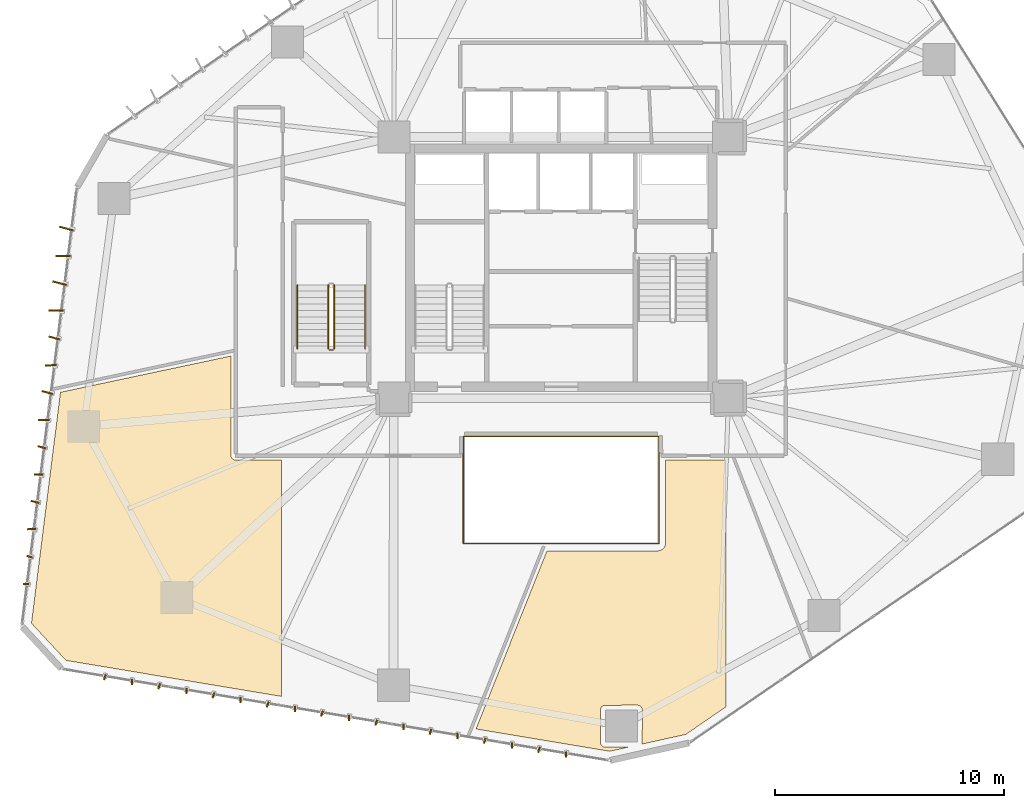
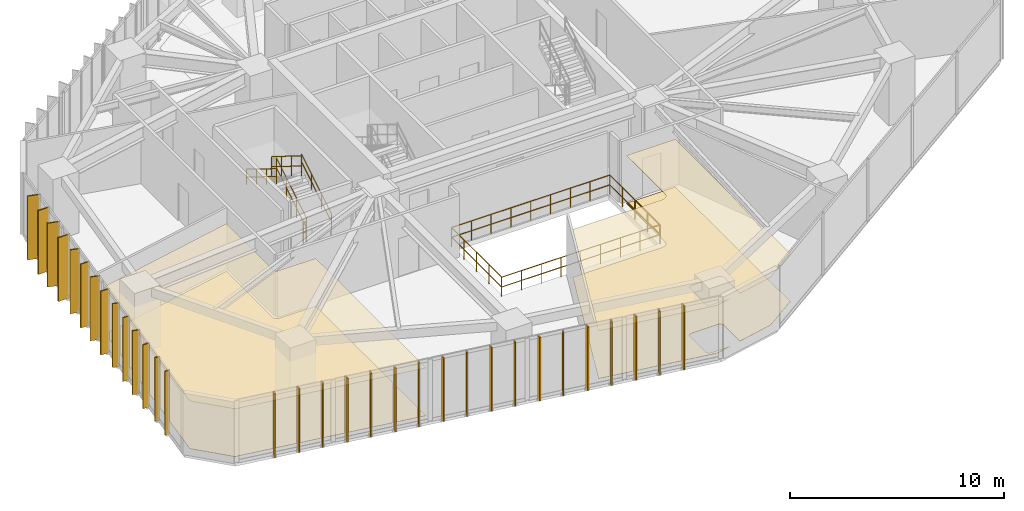
# One storey, part 20 of 21: 32 shading devices, 9 railings, 4 coverings.
"""IFC4 building model written with IfcOpenShell, lengths in metres."""

import ifcopenshell
import ifcopenshell.guid

model = None  # the IFC model being written
_history = None  # IfcOwnerHistory: only IFC2X3 demands one
_inside = {}  # id of a spatial element -> (the spatial element, [elements in it])
_under = {}  # id of a project, library or spatial element -> (it, [spatial elements below it])
_declared = {}  # id of a project -> (the project, [libraries it declares])
_typed = {}  # id of a type object -> (the type object, [elements of that type])
_made_of = {}  # id of a material, layer set ... -> (it, [elements and type objects made of it])


def new_model(schema):
    """Start an empty IFC model of exactly this schema.

    Asked for "IFC4X3", IfcOpenShell would pick the latest addendum, in which some entities
    have other attributes; the version numbers below select the first issue.
    IFC2X3 requires an IfcOwnerHistory on every rooted entity: one is made here for all.
    """
    global model, _history
    if schema == "IFC4X3":
        model = ifcopenshell.file(schema_version=(4, 3, 0, 0))
    else:
        model = ifcopenshell.file(schema=schema)
    _inside.clear()
    _under.clear()
    _declared.clear()
    _typed.clear()
    _made_of.clear()
    _history = None
    if model.schema == "IFC2X3":
        org = make("IfcOrganization", Name="unknown")
        user = make(
            "IfcPersonAndOrganization",
            ThePerson=make("IfcPerson", FamilyName="unknown"),
            TheOrganization=org,
        )
        app = make(
            "IfcApplication",
            ApplicationDeveloper=org,
            Version="unknown",
            ApplicationFullName="unknown",
            ApplicationIdentifier="unknown",
        )
        _history = make(
            "IfcOwnerHistory",
            OwningUser=user,
            OwningApplication=app,
            ChangeAction="ADDED",
            CreationDate=0,
        )
    return model


def make(cls, **values):
    """One entity of the class cls with the attributes given. An attribute that is None is left unset."""
    return model.create_entity(
        cls, **{name: value for name, value in values.items() if value is not None}
    )


def rooted(cls, **values):
    """An entity with a GlobalId (a new one), such as an element, a storey or a relation."""
    return make(cls, GlobalId=ifcopenshell.guid.new(), OwnerHistory=_history, **values)


def si_unit(unit_type, name, prefix=None):
    """IfcSIUnit, for example si_unit("LENGTHUNIT", "METRE", prefix="MILLI")."""
    return make("IfcSIUnit", UnitType=unit_type, Prefix=prefix, Name=name)


def assignment(units):
    """IfcUnitAssignment: the units of a project."""
    return None if units is None else make("IfcUnitAssignment", Units=units)


def point(xyz):
    """IfcCartesianPoint."""
    return None if xyz is None else make("IfcCartesianPoint", Coordinates=xyz)


def direction(xyz):
    """IfcDirection."""
    return None if xyz is None else make("IfcDirection", DirectionRatios=xyz)


def frame(location, z_axis=None, x_axis=None):
    """IfcAxis2Placement3D, a coordinate frame: its origin and axes. An axis left out is left unset."""
    return make(
        "IfcAxis2Placement3D",
        Location=point(location),
        Axis=direction(z_axis),
        RefDirection=direction(x_axis),
    )


def frame_2d(location, x_axis=None):
    """IfcAxis2Placement2D, a coordinate frame in the plane: its origin and x axis."""
    return make(
        "IfcAxis2Placement2D", Location=point(location), RefDirection=direction(x_axis)
    )


def origin():
    """The frame at (0, 0, 0) with its axes left unset."""
    return frame((0.0, 0.0, 0.0))


def origin_2d():
    """The frame at (0, 0) in the plane with its x axis left unset."""
    return frame_2d((0.0, 0.0))


def place(relative_to, where):
    """IfcLocalPlacement: puts the frame where relative to a parent placement (None: the world)."""
    return make(
        "IfcLocalPlacement", PlacementRelTo=relative_to, RelativePlacement=where
    )


def context(
    kind, dimensions, precision=None, world=None, true_north=None, identifier=None
):
    """IfcGeometricRepresentationContext, for example the 3D "Model" context."""
    return make(
        "IfcGeometricRepresentationContext",
        ContextIdentifier=identifier,
        ContextType=kind,
        CoordinateSpaceDimension=dimensions,
        Precision=precision,
        WorldCoordinateSystem=world,
        TrueNorth=true_north,
    )


def subcontext(parent, identifier, kind, view, scale=None):
    """IfcGeometricRepresentationSubContext, for example "Body" below "Model"."""
    return make(
        "IfcGeometricRepresentationSubContext",
        ContextIdentifier=identifier,
        ContextType=kind,
        ParentContext=parent,
        TargetScale=scale,
        TargetView=view,
    )


def project(units=None, contexts=None):
    """IfcProject with its units and contexts."""
    return rooted(
        "IfcProject",
        Name="project",
        RepresentationContexts=contexts,
        UnitsInContext=assignment(units),
    )


def spatial(cls, under=None, at=None, **own):
    """A site, building, storey or space (cls), placed at a placement, below another one or the project."""
    s = rooted(cls, ObjectPlacement=at, **own)
    if under is not None:
        _under.setdefault(under.id(), (under, []))[1].append(s)
    return s


def polyline(points):
    """IfcPolyline through the points."""
    return make("IfcPolyline", Points=[point(p) for p in points])


def profile(cls, at=None, kind="AREA", **sizes):
    """A parametric profile (cls). Its sizes go by their IFC names, for example OverallWidth=200.0."""
    return make(cls, ProfileType=kind, Position=at, **sizes)


def rectangle(**sizes):
    """IfcRectangleProfileDef."""
    return profile("IfcRectangleProfileDef", **sizes)


def circle(**sizes):
    """IfcCircleProfileDef."""
    return profile("IfcCircleProfileDef", **sizes)


def outline(outer, holes=None, kind="AREA"):
    """IfcArbitraryClosedProfileDef: a profile drawn as a closed curve; with holes, ...WithVoids."""
    if holes is None:
        return make("IfcArbitraryClosedProfileDef", ProfileType=kind, OuterCurve=outer)
    return make(
        "IfcArbitraryProfileDefWithVoids",
        ProfileType=kind,
        OuterCurve=outer,
        InnerCurves=holes,
    )


def extrude(swept, where, along, depth):
    """IfcExtrudedAreaSolid: the profile swept, set in the frame where, extruded along a direction by depth."""
    return make(
        "IfcExtrudedAreaSolid",
        SweptArea=swept,
        Position=where,
        ExtrudedDirection=direction(along),
        Depth=depth,
    )


def shape(context_of_items, identifier, shape_type, items):
    """IfcShapeRepresentation: the items that make up one representation, for example the "Body"."""
    return make(
        "IfcShapeRepresentation",
        ContextOfItems=context_of_items,
        RepresentationIdentifier=identifier,
        RepresentationType=shape_type,
        Items=items,
    )


def source(mapping_origin, context_of_items, identifier, shape_type, items):
    """IfcRepresentationMap: a shape defined once, which mapped items show again and again."""
    return make(
        "IfcRepresentationMap",
        MappingOrigin=mapping_origin,
        MappedRepresentation=shape(context_of_items, identifier, shape_type, items),
    )


def transform(
    local_origin,
    x_axis=None,
    y_axis=None,
    z_axis=None,
    scale=None,
    scale2=None,
    scale3=None,
    uniform=True,
):
    """IfcCartesianTransformationOperator3D, or its non-uniform kind. x_axis, y_axis, z_axis: its Axis1, 2, 3."""
    if uniform:
        return make(
            "IfcCartesianTransformationOperator3D",
            Axis1=direction(x_axis),
            Axis2=direction(y_axis),
            LocalOrigin=point(local_origin),
            Scale=scale,
            Axis3=direction(z_axis),
        )
    return make(
        "IfcCartesianTransformationOperator3DnonUniform",
        Axis1=direction(x_axis),
        Axis2=direction(y_axis),
        LocalOrigin=point(local_origin),
        Scale=scale,
        Axis3=direction(z_axis),
        Scale2=scale2,
        Scale3=scale3,
    )


def mapped(mapping_source, mapping_target):
    """IfcMappedItem: shows the shape of a source again, moved by a transform."""
    return make(
        "IfcMappedItem", MappingSource=mapping_source, MappingTarget=mapping_target
    )


def material(Name=None, Category=None):
    """IfcMaterial."""
    return make("IfcMaterial", Name=Name, Category=Category)


def layer(
    of_material, thickness, ventilated=None, Name=None, Category=None, Priority=None
):
    """IfcMaterialLayer: one layer of a wall or slab, of a material (None: an air gap)."""
    return make(
        "IfcMaterialLayer",
        Material=of_material,
        LayerThickness=thickness,
        IsVentilated=ventilated,
        Name=Name,
        Category=Category,
        Priority=Priority,
    )


def layer_set(layers, Name=None):
    """IfcMaterialLayerSet."""
    return make("IfcMaterialLayerSet", MaterialLayers=layers, LayerSetName=Name)


def made_of(thing, what):
    """Note that an element or type object is made of a material, layer set ...; save() writes the relation."""
    if what is not None:
        _made_of.setdefault(what.id(), (what, []))[1].append(thing)
    return thing


def type_object(cls, material=None, **own):
    """A type object (cls), such as IfcWallType, which elements share."""
    return made_of(rooted(cls, **own), material)


def type_shapes(of_type, sources):
    """Give a type object the sources (RepresentationMaps) that its elements show as mapped items."""
    of_type.RepresentationMaps = sources


def element(
    cls,
    number,
    at=None,
    inside=None,
    cuts=None,
    type_object=None,
    material=None,
    context=None,
    identifier="Body",
    shape_type=None,
    held_by="IfcProductDefinitionShape",
    body=None,
    shapes=None,
    **own,
):
    """One element of the class cls, such as IfcWall. Its Tag is "e" and its number.

    at: its placement. inside: the storey or other place that contains it. cuts: it is an
    opening in that element (IfcRelVoidsElement). A single representation is given by context,
    identifier, shape_type and body (its items); several are given by shapes. held_by: the class
    of the entity that holds the representations. save() writes the other relations.
    """
    e = rooted(cls, Tag="e%d" % number, ObjectPlacement=at, **own)
    if body is not None:
        shapes = [shape(context, identifier, shape_type, body)]
    if shapes is not None:
        e.Representation = make(held_by, Representations=shapes)
    if inside is not None:
        _inside.setdefault(inside.id(), (inside, []))[1].append(e)
    if cuts is not None:
        rooted(
            "IfcRelVoidsElement", RelatingBuildingElement=cuts, RelatedOpeningElement=e
        )
    if type_object is not None:
        _typed.setdefault(type_object.id(), (type_object, []))[1].append(e)
    return made_of(e, material)


def aggregate(whole, parts):
    """IfcRelAggregates: a whole, such as a stair, and the parts it consists of."""
    return rooted("IfcRelAggregates", RelatingObject=whole, RelatedObjects=parts)


def save(model, path):
    """Write the relations noted so far, then the file.

    IfcRelAggregates (storeys below a building ...), IfcRelContainedInSpatialStructure (elements
    in a storey), IfcRelDefinesByType, IfcRelAssociatesMaterial and IfcRelDeclares: one each for
    every whole, place, type object, material and project.
    """
    for whole, parts in _under.values():
        aggregate(whole, parts)
    for where, things in _inside.values():
        rooted(
            "IfcRelContainedInSpatialStructure",
            RelatedElements=things,
            RelatingStructure=where,
        )
    for kind, things in _typed.values():
        rooted("IfcRelDefinesByType", RelatedObjects=things, RelatingType=kind)
    for what, things in _made_of.values():
        rooted("IfcRelAssociatesMaterial", RelatedObjects=things, RelatingMaterial=what)
    for by, libraries in _declared.values():
        rooted("IfcRelDeclares", RelatingContext=by, RelatedDefinitions=libraries)
    model.write(path)


model = new_model("IFC4")

# Units and contexts
model_context = context("Model", 3, precision=1e-05, world=origin(), true_north=direction((0.0, 1.0)))
body_context = subcontext(model_context, "Body", "Model", "MODEL_VIEW")
ifc_project = project(units=[si_unit("LENGTHUNIT", "METRE"), si_unit("AREAUNIT", "SQUARE_METRE"), si_unit("VOLUMEUNIT", "CUBIC_METRE"), si_unit("PLANEANGLEUNIT", "RADIAN"), si_unit("MASSUNIT", "GRAM", prefix="KILO")], contexts=[model_context])

# Site, building, storey
site_placement = place(None, origin())
site = spatial("IfcSite", under=ifc_project, at=site_placement, CompositionType="ELEMENT")
building_placement = place(site_placement, origin())
building = spatial("IfcBuilding", under=site, at=building_placement, Name="Talar Marvaseh", CompositionType="ELEMENT")
storey_placement = place(building_placement, frame((0.0, 0.0, 62.0)))
storey = spatial("IfcBuildingStorey", under=building, at=storey_placement, Name="L15", CompositionType="ELEMENT", Elevation=62.0)

# Railings
ifc_material_1 = material(Name="Stainless Steel Grade 316", Category="steel")
railing_type_1 = type_object("IfcRailingType", Name="Brushed Stainless Wall Pitch Handrail 900", PredefinedType="HANDRAIL", material=ifc_material_1)
railing_1_placement = place(storey_placement, frame((17.449951171875, 27.64990234375, 0.172607421875)))
element("IfcRailing", 1, at=railing_1_placement, inside=storey, type_object=railing_type_1, Name="L15 ST-3 stair handrail 1", PredefinedType="HANDRAIL", context=body_context, shape_type="SweptSolid", body=[
    extrude(circle(Radius=0.02392578125, at=origin_2d()), frame((0.0, 0.0, 0.8759765625), z_axis=(0.0, 0.851089632645, 0.525020415988), x_axis=(-1.0, 0.0, 0.0)), (0.0, 0.0, 1.0), 3.2900390625),
    extrude(circle(Radius=0.02392578125, at=origin_2d()), frame((0.0, 0.0, 0.42578125), z_axis=(0.0, 0.851089632645, 0.525020415988), x_axis=(-1.0, 0.0, 0.0)), (0.0, 0.0, 1.0), 3.2900390625),
    extrude(circle(Radius=0.02099609375, at=origin_2d()), origin(), (0.0, 0.0, 1.0), 0.851806640625),
    extrude(circle(Radius=0.02099609375, at=origin_2d()), frame((0.0, 0.933349609375, 0.57568359375)), (0.0, 0.0, 1.0), 0.851806640625),
    extrude(circle(Radius=0.02099609375, at=origin_2d()), frame((0.0, 1.86669921875, 1.151611328125)), (0.0, 0.0, 1.0), 0.851806640625),
    extrude(circle(Radius=0.02099609375, at=origin_2d()), frame((0.0, 2.800048828125, 1.727294921875)), (0.0, 0.0, 1.0), 0.851806640625),
])
railing_2_placement = place(storey_placement, frame((14.489990234375, 30.449951171875, 2.07275390625)))
element("IfcRailing", 2, at=railing_2_placement, inside=storey, type_object=railing_type_1, Name="L15 ST-3 stair handrail 2", PredefinedType="HANDRAIL", context=body_context, shape_type="SweptSolid", body=[
    extrude(circle(Radius=0.02392578125, at=origin_2d()), frame((0.0, 0.0, 0.8759765625), z_axis=(0.0, -0.851089632645, 0.525020415988), x_axis=(1.0, 0.0, 0.0)), (0.0, 0.0, 1.0), 3.2900390625),
    extrude(circle(Radius=0.02392578125, at=origin_2d()), frame((0.0, 0.0, 0.42578125), z_axis=(0.0, -0.851089632645, 0.525020415988), x_axis=(1.0, 0.0, 0.0)), (0.0, 0.0, 1.0), 3.2900390625),
    extrude(circle(Radius=0.02099609375, at=origin_2d()), origin(), (0.0, 0.0, 1.0), 0.851806640625),
    extrude(circle(Radius=0.02099609375, at=origin_2d()), frame((0.0, -0.933349609375, 0.57568359375)), (0.0, 0.0, 1.0), 0.851806640625),
    extrude(circle(Radius=0.02099609375, at=origin_2d()), frame((0.0, -1.86669921875, 1.151611328125)), (0.0, 0.0, 1.0), 0.851806640625),
    extrude(circle(Radius=0.02099609375, at=origin_2d()), frame((0.0, -2.800048828125, 1.727294921875)), (0.0, 0.0, 1.0), 0.851806640625),
])
ifc_material_2 = material(Name="Tempered Clear Glass", Category="glass")
railing_type_2 = type_object("IfcRailingType", Name="Interior Atrium Edge Balustrade 1120", PredefinedType="BALUSTRADE", material=ifc_material_2)
railing_3_placement = place(storey_placement, frame((21.729736328125, 19.16162109375, 0.0)))
element("IfcRailing", 3, at=railing_3_placement, inside=storey, type_object=railing_type_2, Name="L15 Internal Daylight Atrium Balustrade 1", PredefinedType="BALUSTRADE", context=body_context, shape_type="SweptSolid", body=[
    extrude(circle(Radius=0.02392578125, at=origin_2d()), frame((0.0, 0.0, 1.09619140625), z_axis=(1.0, 0.0, 0.0), x_axis=(0.0, 1.0, 0.0)), (0.0, 0.0, 1.0), 8.54052734375),
    extrude(circle(Radius=0.02392578125, at=origin_2d()), frame((0.0, 0.0, 0.5361328125), z_axis=(1.0, 0.0, 0.0), x_axis=(0.0, 1.0, 0.0)), (0.0, 0.0, 1.0), 8.54052734375),
    extrude(circle(Radius=0.02099609375, at=origin_2d()), origin(), (0.0, 0.0, 1.0), 1.072021484375),
    extrude(circle(Radius=0.02099609375, at=origin_2d()), frame((1.067626953125, 0.0, 0.0)), (0.0, 0.0, 1.0), 1.072021484375),
    extrude(circle(Radius=0.02099609375, at=origin_2d()), frame((2.13525390625, 0.0, 0.0)), (0.0, 0.0, 1.0), 1.072021484375),
    extrude(circle(Radius=0.02099609375, at=origin_2d()), frame((3.20263671875, 0.0, 0.0)), (0.0, 0.0, 1.0), 1.072021484375),
    extrude(circle(Radius=0.02099609375, at=origin_2d()), frame((4.270263671875, 0.0, 0.0)), (0.0, 0.0, 1.0), 1.072021484375),
    extrude(circle(Radius=0.02099609375, at=origin_2d()), frame((5.337890625, 0.0, 0.0)), (0.0, 0.0, 1.0), 1.072021484375),
    extrude(circle(Radius=0.02099609375, at=origin_2d()), frame((6.4052734375, 0.0, 0.0)), (0.0, 0.0, 1.0), 1.072021484375),
    extrude(circle(Radius=0.02099609375, at=origin_2d()), frame((7.472900390625, 0.0, 0.0)), (0.0, 0.0, 1.0), 1.072021484375),
    extrude(circle(Radius=0.02099609375, at=origin_2d()), frame((8.54052734375, 0.0, 0.0)), (0.0, 0.0, 1.0), 1.072021484375),
])
railing_4_placement = place(storey_placement, frame((30.270263671875, 19.16162109375, 0.0)))
element("IfcRailing", 4, at=railing_4_placement, inside=storey, type_object=railing_type_2, Name="L15 Internal Daylight Atrium Balustrade 2", PredefinedType="BALUSTRADE", context=body_context, shape_type="SweptSolid", body=[
    extrude(circle(Radius=0.02392578125, at=origin_2d()), frame((0.0, 0.0, 1.09619140625), z_axis=(0.0, 1.0, 0.0), x_axis=(-1.0, 0.0, 0.0)), (0.0, 0.0, 1.0), 4.6767578125),
    extrude(circle(Radius=0.02392578125, at=origin_2d()), frame((0.0, 0.0, 0.5361328125), z_axis=(0.0, 1.0, 0.0), x_axis=(-1.0, 0.0, 0.0)), (0.0, 0.0, 1.0), 4.6767578125),
    extrude(circle(Radius=0.02099609375, at=origin_2d()), origin(), (0.0, 0.0, 1.0), 1.072021484375),
    extrude(circle(Radius=0.02099609375, at=origin_2d()), frame((0.0, 1.169189453125, 0.0)), (0.0, 0.0, 1.0), 1.072021484375),
    extrude(circle(Radius=0.02099609375, at=origin_2d()), frame((0.0, 2.33837890625, 0.0)), (0.0, 0.0, 1.0), 1.072021484375),
    extrude(circle(Radius=0.02099609375, at=origin_2d()), frame((0.0, 3.507568359375, 0.0)), (0.0, 0.0, 1.0), 1.072021484375),
    extrude(circle(Radius=0.02099609375, at=origin_2d()), frame((0.0, 4.6767578125, 0.0)), (0.0, 0.0, 1.0), 1.072021484375),
])
railing_5_placement = place(storey_placement, frame((30.270263671875, 23.83837890625, 0.0)))
element("IfcRailing", 5, at=railing_5_placement, inside=storey, type_object=railing_type_2, Name="L15 Internal Daylight Atrium Balustrade 3", PredefinedType="BALUSTRADE", context=body_context, shape_type="SweptSolid", body=[
    extrude(circle(Radius=0.02392578125, at=origin_2d()), frame((0.0, 0.0, 1.09619140625), z_axis=(-1.0, 0.0, 0.0), x_axis=(0.0, -1.0, 0.0)), (0.0, 0.0, 1.0), 8.54052734375),
    extrude(circle(Radius=0.02392578125, at=origin_2d()), frame((0.0, 0.0, 0.5361328125), z_axis=(-1.0, 0.0, 0.0), x_axis=(0.0, -1.0, 0.0)), (0.0, 0.0, 1.0), 8.54052734375),
    extrude(circle(Radius=0.02099609375, at=origin_2d()), origin(), (0.0, 0.0, 1.0), 1.072021484375),
    extrude(circle(Radius=0.02099609375, at=origin_2d()), frame((-1.067626953125, 0.0, 0.0)), (0.0, 0.0, 1.0), 1.072021484375),
    extrude(circle(Radius=0.02099609375, at=origin_2d()), frame((-2.13525390625, 0.0, 0.0)), (0.0, 0.0, 1.0), 1.072021484375),
    extrude(circle(Radius=0.02099609375, at=origin_2d()), frame((-3.20263671875, 0.0, 0.0)), (0.0, 0.0, 1.0), 1.072021484375),
    extrude(circle(Radius=0.02099609375, at=origin_2d()), frame((-4.270263671875, 0.0, 0.0)), (0.0, 0.0, 1.0), 1.072021484375),
    extrude(circle(Radius=0.02099609375, at=origin_2d()), frame((-5.337890625, 0.0, 0.0)), (0.0, 0.0, 1.0), 1.072021484375),
    extrude(circle(Radius=0.02099609375, at=origin_2d()), frame((-6.4052734375, 0.0, 0.0)), (0.0, 0.0, 1.0), 1.072021484375),
    extrude(circle(Radius=0.02099609375, at=origin_2d()), frame((-7.472900390625, 0.0, 0.0)), (0.0, 0.0, 1.0), 1.072021484375),
    extrude(circle(Radius=0.02099609375, at=origin_2d()), frame((-8.54052734375, 0.0, 0.0)), (0.0, 0.0, 1.0), 1.072021484375),
])
railing_6_placement = place(storey_placement, frame((21.729736328125, 23.83837890625, 0.0)))
element("IfcRailing", 6, at=railing_6_placement, inside=storey, type_object=railing_type_2, Name="L15 Internal Daylight Atrium Balustrade 4", PredefinedType="BALUSTRADE", context=body_context, shape_type="SweptSolid", body=[
    extrude(circle(Radius=0.02392578125, at=origin_2d()), frame((0.0, 0.0, 1.09619140625), z_axis=(0.0, -1.0, 0.0), x_axis=(1.0, 0.0, 0.0)), (0.0, 0.0, 1.0), 4.6767578125),
    extrude(circle(Radius=0.02392578125, at=origin_2d()), frame((0.0, 0.0, 0.5361328125), z_axis=(0.0, -1.0, 0.0), x_axis=(1.0, 0.0, 0.0)), (0.0, 0.0, 1.0), 4.6767578125),
    extrude(circle(Radius=0.02099609375, at=origin_2d()), origin(), (0.0, 0.0, 1.0), 1.072021484375),
    extrude(circle(Radius=0.02099609375, at=origin_2d()), frame((0.0, -1.169189453125, 0.0)), (0.0, 0.0, 1.0), 1.072021484375),
    extrude(circle(Radius=0.02099609375, at=origin_2d()), frame((0.0, -2.33837890625, 0.0)), (0.0, 0.0, 1.0), 1.072021484375),
    extrude(circle(Radius=0.02099609375, at=origin_2d()), frame((0.0, -3.507568359375, 0.0)), (0.0, 0.0, 1.0), 1.072021484375),
    extrude(circle(Radius=0.02099609375, at=origin_2d()), frame((0.0, -4.6767578125, 0.0)), (0.0, 0.0, 1.0), 1.072021484375),
])
railing_type_3 = type_object("IfcRailingType", Name="Painted Steel Core Stair Well Guardrail 1150", PredefinedType="GUARDRAIL", material=ifc_material_1)
railing_7_placement = place(storey_placement, frame((16.10009765625, 27.64990234375, 0.172607421875)))
element("IfcRailing", 7, at=railing_7_placement, inside=storey, type_object=railing_type_3, Name="L15 ST-3 stair guard 1", PredefinedType="GUARDRAIL", context=body_context, shape_type="SweptSolid", body=[
    extrude(circle(Radius=0.02392578125, at=origin_2d()), frame((0.0, 0.0, 1.1259765625), z_axis=(0.0, 0.851089632645, 0.525020415988), x_axis=(-1.0, 0.0, 0.0)), (0.0, 0.0, 1.0), 3.2900390625),
    extrude(circle(Radius=0.02392578125, at=origin_2d()), frame((0.0, 0.0, 0.55078125), z_axis=(0.0, 0.851089632645, 0.525020415988), x_axis=(-1.0, 0.0, 0.0)), (0.0, 0.0, 1.0), 3.2900390625),
    extrude(circle(Radius=0.02099609375, at=origin_2d()), origin(), (0.0, 0.0, 1.0), 1.101806640625),
    extrude(circle(Radius=0.02099609375, at=origin_2d()), frame((0.0, 0.933349609375, 0.57568359375)), (0.0, 0.0, 1.0), 1.101806640625),
    extrude(circle(Radius=0.02099609375, at=origin_2d()), frame((0.0, 1.86669921875, 1.151611328125)), (0.0, 0.0, 1.0), 1.101806640625),
    extrude(circle(Radius=0.02099609375, at=origin_2d()), frame((0.0, 2.800048828125, 1.727294921875)), (0.0, 0.0, 1.0), 1.101806640625),
])
railing_8_placement = place(storey_placement, frame((15.840087890625, 30.449951171875, 2.07275390625)))
element("IfcRailing", 8, at=railing_8_placement, inside=storey, type_object=railing_type_3, Name="L15 ST-3 stair guard 3", PredefinedType="GUARDRAIL", context=body_context, shape_type="SweptSolid", body=[
    extrude(circle(Radius=0.02392578125, at=origin_2d()), frame((0.0, 0.0, 1.1259765625), z_axis=(0.0, -0.851089632645, 0.525020415988), x_axis=(1.0, 0.0, 0.0)), (0.0, 0.0, 1.0), 3.2900390625),
    extrude(circle(Radius=0.02392578125, at=origin_2d()), frame((0.0, 0.0, 0.55078125), z_axis=(0.0, -0.851089632645, 0.525020415988), x_axis=(1.0, 0.0, 0.0)), (0.0, 0.0, 1.0), 3.2900390625),
    extrude(circle(Radius=0.02099609375, at=origin_2d()), origin(), (0.0, 0.0, 1.0), 1.101806640625),
    extrude(circle(Radius=0.02099609375, at=origin_2d()), frame((0.0, -0.933349609375, 0.57568359375)), (0.0, 0.0, 1.0), 1.101806640625),
    extrude(circle(Radius=0.02099609375, at=origin_2d()), frame((0.0, -1.86669921875, 1.151611328125)), (0.0, 0.0, 1.0), 1.101806640625),
    extrude(circle(Radius=0.02099609375, at=origin_2d()), frame((0.0, -2.800048828125, 1.727294921875)), (0.0, 0.0, 1.0), 1.101806640625),
])
railing_9_placement = place(storey_placement, frame((16.050048828125, 27.60009765625, 0.0)))
element("IfcRailing", 9, at=railing_9_placement, inside=storey, type_object=railing_type_3, Name="L15 ST-3 stair guard 4", PredefinedType="GUARDRAIL", context=body_context, shape_type="SweptSolid", body=[
    extrude(circle(Radius=0.02392578125, at=origin_2d()), frame((0.0, 0.0, 1.1259765625), z_axis=(-1.0, 0.0, 0.0), x_axis=(0.0, -1.0, 0.0)), (0.0, 0.0, 1.0), 0.16015625),
    extrude(circle(Radius=0.02392578125, at=origin_2d()), frame((0.0, 0.0, 0.55078125), z_axis=(-1.0, 0.0, 0.0), x_axis=(0.0, -1.0, 0.0)), (0.0, 0.0, 1.0), 0.16015625),
    extrude(circle(Radius=0.02099609375, at=origin_2d()), origin(), (0.0, 0.0, 1.0), 1.101806640625),
    extrude(circle(Radius=0.02099609375, at=origin_2d()), frame((-0.16015625, 0.0, 0.0)), (0.0, 0.0, 1.0), 1.101806640625),
])

# Coverings
ifc_material_3 = material(Name="Mineral Fibre Acoustic Ceiling")
ifc_layer_1 = layer(ifc_material_3, 0.02490234375)
ifc_layer_set_1 = layer_set([ifc_layer_1], Name="Mineral Fibre Acoustic Ceiling")
covering_type_1 = type_object("IfcCoveringType", Name="Perforated Mineral Fibre Acoustic Suspended Ceiling", PredefinedType="CEILING", material=ifc_layer_set_1)
covering_1_placement = place(storey_placement, frame((0.0, 0.0, 2.719970703125)))
element("IfcCovering", 10, at=covering_1_placement, inside=storey, type_object=covering_type_1, Name="L15 Exhibition Gallery Acoustic Ceiling", PredefinedType="CEILING", context=body_context, shape_type="SweptSolid", body=[
    extrude(outline(polyline([(2.893798828125, 15.681884765625), (4.15869140625, 25.76025390625), (11.60009765625, 27.342041015625), (11.60009765625, 23.0), (11.60107421875, 22.98046875), (11.603759765625, 22.9609375), (11.608642578125, 22.94189453125), (11.615234375, 22.923583984375), (11.62353515625, 22.90576171875), (11.6337890625, 22.888916015625), (11.6455078125, 22.873046875), (11.65869140625, 22.858642578125), (11.673095703125, 22.845458984375), (11.68896484375, 22.833740234375), (11.705810546875, 22.823486328125), (11.723388671875, 22.815185546875), (11.741943359375, 22.80859375), (11.760986328125, 22.8037109375), (11.780517578125, 22.801025390625), (11.800048828125, 22.800048828125), (13.800048828125, 22.800048828125), (13.800048828125, 12.4921875), (4.398681640625, 14.06396484375), (2.893798828125, 15.681884765625)])), origin(), (0.0, 0.0, 1.0), 0.025146484375),
])
covering_2_placement = place(storey_placement, frame((0.0, 0.0, 2.719970703125)))
element("IfcCovering", 11, at=covering_2_placement, inside=storey, type_object=covering_type_1, Name="L15 Museum Publication Bookshop Acoustic Ceiling", PredefinedType="CEILING", context=body_context, shape_type="SweptSolid", body=[
    extrude(outline(polyline([(25.377685546875, 18.840087890625), (30.199951171875, 18.840087890625), (30.21630859375, 18.8408203125), (30.232666015625, 18.8427734375), (30.24853515625, 18.845947265625), (30.323974609375, 18.864990234375), (30.3427734375, 18.87060546875), (30.361083984375, 18.878173828125), (30.37841796875, 18.887451171875), (30.39453125, 18.898193359375), (30.432373046875, 18.92626953125), (30.447509765625, 18.938720703125), (30.461181640625, 18.95263671875), (30.4736328125, 18.9677734375), (30.501708984375, 19.00537109375), (30.5126953125, 19.021728515625), (30.52197265625, 19.0390625), (30.529296875, 19.05712890625), (30.53515625, 19.075927734375), (30.553955078125, 19.1513671875), (30.557373046875, 19.16748046875), (30.559326171875, 19.18359375), (30.56005859375, 19.199951171875), (30.56005859375, 22.800048828125), (33.199951171875, 22.800048828125), (33.199951171875, 12.046875), (31.4375, 10.8359375), (29.521484375, 10.4111328125), (29.52685546875, 10.42578125), (29.53173828125, 10.44482421875), (29.53466796875, 10.464111328125), (29.53564453125, 10.48388671875), (29.539794921875, 11.89599609375), (29.5390625, 11.91455078125), (29.53662109375, 11.932861328125), (29.5322265625, 11.950927734375), (29.5263671875, 11.96875), (29.518798828125, 11.985595703125), (29.509765625, 12.001953125), (29.499267578125, 12.017333984375), (29.4873046875, 12.031494140625), (29.47412109375, 12.044677734375), (29.459228515625, 12.05810546875), (29.445068359375, 12.070068359375), (29.4296875, 12.080322265625), (29.41357421875, 12.08935546875), (29.396728515625, 12.0966796875), (29.379150390625, 12.1025390625), (29.361083984375, 12.106689453125), (29.3427734375, 12.109130859375), (29.324462890625, 12.110107421875), (27.913818359375, 12.105712890625), (27.894287109375, 12.1044921875), (27.874755859375, 12.1015625), (27.85595703125, 12.0966796875), (27.83740234375, 12.090087890625), (27.819580078125, 12.081787109375), (27.802978515625, 12.07177734375), (27.787353515625, 12.06005859375), (27.772705078125, 12.046875), (27.759521484375, 12.0322265625), (27.748046875, 12.0166015625), (27.73779296875, 11.999755859375), (27.7294921875, 11.98193359375), (27.722900390625, 11.96337890625), (27.71826171875, 11.944580078125), (27.71533203125, 11.92529296875), (27.71435546875, 11.905517578125), (27.71435546875, 10.484375), (27.71533203125, 10.46484375), (27.71826171875, 10.4453125), (27.722900390625, 10.42626953125), (27.7294921875, 10.407958984375), (27.738037109375, 10.39013671875), (27.748046875, 10.373291015625), (27.759765625, 10.357421875), (27.77294921875, 10.343017578125), (27.78759765625, 10.329833984375), (27.80322265625, 10.318115234375), (27.820068359375, 10.30810546875), (27.837890625, 10.299560546875), (27.856201171875, 10.29296875), (27.87548828125, 10.2880859375), (27.894775390625, 10.285400390625), (27.914306640625, 10.284423828125), (28.949951171875, 10.284423828125), (28.114501953125, 10.09912109375), (22.287109375, 11.073486328125), (25.377685546875, 18.840087890625)])), origin(), (0.0, 0.0, 1.0), 0.025146484375),
])
ifc_material_4 = material(Name="Porcelain Stoneware Tile", Category="masonry")
ifc_layer_2 = layer(ifc_material_4, 0.02001953125)
ifc_layer_set_2 = layer_set([ifc_layer_2], Name="Porcelain Stoneware Tile")
covering_type_2 = type_object("IfcCoveringType", Name="Polished Porcelain Stoneware Gallery Flooring", PredefinedType="FLOORING", material=ifc_layer_set_2)
covering_3_placement = place(storey_placement, origin())
element("IfcCovering", 12, at=covering_3_placement, inside=storey, type_object=covering_type_2, Name="L15 Exhibition Gallery Flooring", PredefinedType="FLOORING", context=body_context, shape_type="SweptSolid", body=[
    extrude(outline(polyline([(2.893798828125, 15.681884765625), (4.15869140625, 25.76025390625), (11.60009765625, 27.342041015625), (11.60009765625, 23.0), (11.60107421875, 22.98046875), (11.603759765625, 22.9609375), (11.608642578125, 22.94189453125), (11.615234375, 22.923583984375), (11.62353515625, 22.90576171875), (11.6337890625, 22.888916015625), (11.6455078125, 22.873046875), (11.65869140625, 22.858642578125), (11.673095703125, 22.845458984375), (11.68896484375, 22.833740234375), (11.705810546875, 22.823486328125), (11.723388671875, 22.815185546875), (11.741943359375, 22.80859375), (11.760986328125, 22.8037109375), (11.780517578125, 22.801025390625), (11.800048828125, 22.800048828125), (13.800048828125, 22.800048828125), (13.800048828125, 12.4921875), (4.398681640625, 14.06396484375), (2.893798828125, 15.681884765625)])), origin(), (0.0, 0.0, 1.0), 0.02001953125),
])
covering_4_placement = place(storey_placement, origin())
element("IfcCovering", 13, at=covering_4_placement, inside=storey, type_object=covering_type_2, Name="L15 Museum Publication Bookshop Flooring", PredefinedType="FLOORING", context=body_context, shape_type="SweptSolid", body=[
    extrude(outline(polyline([(25.377685546875, 18.840087890625), (30.199951171875, 18.840087890625), (30.21630859375, 18.8408203125), (30.232666015625, 18.8427734375), (30.24853515625, 18.845947265625), (30.323974609375, 18.864990234375), (30.3427734375, 18.87060546875), (30.361083984375, 18.878173828125), (30.37841796875, 18.887451171875), (30.39453125, 18.898193359375), (30.432373046875, 18.92626953125), (30.447509765625, 18.938720703125), (30.461181640625, 18.95263671875), (30.4736328125, 18.9677734375), (30.501708984375, 19.00537109375), (30.5126953125, 19.021728515625), (30.52197265625, 19.0390625), (30.529296875, 19.05712890625), (30.53515625, 19.075927734375), (30.553955078125, 19.1513671875), (30.557373046875, 19.16748046875), (30.559326171875, 19.18359375), (30.56005859375, 19.199951171875), (30.56005859375, 22.800048828125), (33.199951171875, 22.800048828125), (33.199951171875, 12.046875), (31.4375, 10.8359375), (29.521484375, 10.4111328125), (29.52685546875, 10.42578125), (29.53173828125, 10.44482421875), (29.53466796875, 10.464111328125), (29.53564453125, 10.48388671875), (29.539794921875, 11.89599609375), (29.5390625, 11.91455078125), (29.53662109375, 11.932861328125), (29.5322265625, 11.950927734375), (29.5263671875, 11.96875), (29.518798828125, 11.985595703125), (29.509765625, 12.001953125), (29.499267578125, 12.017333984375), (29.4873046875, 12.031494140625), (29.47412109375, 12.044677734375), (29.459228515625, 12.05810546875), (29.445068359375, 12.070068359375), (29.4296875, 12.080322265625), (29.41357421875, 12.08935546875), (29.396728515625, 12.0966796875), (29.379150390625, 12.1025390625), (29.361083984375, 12.106689453125), (29.3427734375, 12.109130859375), (29.324462890625, 12.110107421875), (27.913818359375, 12.105712890625), (27.894287109375, 12.1044921875), (27.874755859375, 12.1015625), (27.85595703125, 12.0966796875), (27.83740234375, 12.090087890625), (27.819580078125, 12.081787109375), (27.802978515625, 12.07177734375), (27.787353515625, 12.06005859375), (27.772705078125, 12.046875), (27.759521484375, 12.0322265625), (27.748046875, 12.0166015625), (27.73779296875, 11.999755859375), (27.7294921875, 11.98193359375), (27.722900390625, 11.96337890625), (27.71826171875, 11.944580078125), (27.71533203125, 11.92529296875), (27.71435546875, 11.905517578125), (27.71435546875, 10.484375), (27.71533203125, 10.46484375), (27.71826171875, 10.4453125), (27.722900390625, 10.42626953125), (27.7294921875, 10.407958984375), (27.738037109375, 10.39013671875), (27.748046875, 10.373291015625), (27.759765625, 10.357421875), (27.77294921875, 10.343017578125), (27.78759765625, 10.329833984375), (27.80322265625, 10.318115234375), (27.820068359375, 10.30810546875), (27.837890625, 10.299560546875), (27.856201171875, 10.29296875), (27.87548828125, 10.2880859375), (27.894775390625, 10.285400390625), (27.914306640625, 10.284423828125), (28.949951171875, 10.284423828125), (28.114501953125, 10.09912109375), (22.287109375, 11.073486328125), (25.377685546875, 18.840087890625)])), origin(), (0.0, 0.0, 1.0), 0.02001953125),
])

# Shading devices
ifc_material_5 = material(Name="Anodised Champagne Bronze Aluminium", Category="aluminium")
ifc_layer_3 = layer(ifc_material_5, 0.06494140625)
ifc_layer_set_3 = layer_set([ifc_layer_3], Name="Anodised Champagne Bronze Aluminium")
shading_device_type_1 = type_object("IfcShadingDeviceType", Name="Sawtooth Champagne Bronze Vertical Fin 240", PredefinedType="USERDEFINED", material=ifc_layer_set_3)
shared_shape_1 = source(origin(), body_context, "Body", "SweptSolid", [
    extrude(rectangle(XDim=0.239990234375, YDim=0.06494140625, at=origin_2d()), origin(), (0.0, 0.0, 1.0), 3.639892578125),
])
type_shapes(shading_device_type_1, [shared_shape_1])
for number, where, z_axis, x_axis, name in (
    (14, (2.660888671875, 17.398681640625, -0.1201171875), (0.0, 0.0, 1.0), (-0.999889958975, -0.014834754474, 0.0), "L15 Sawtooth Vertical Solar Fin"),
    (15, (2.810302734375, 18.58935546875, -0.1201171875), (0.0, 0.0, 1.0), (-0.965244930214, 0.261346943155, 0.0), "L15 Sawtooth Vertical Solar Fin"),
    (16, (26.218994140625, 9.96484375, -0.1201171875), (0.0, 0.0, 1.0), (-0.026002474793, -0.999661878489, 0.0), "L15 Sawtooth Vertical Solar Fin"),
    (17, (25.035400390625, 10.16259765625, -0.1201171875), (0.0, 0.0, 1.0), (-0.300539339916, -0.953769419285, 0.0), "L15 Sawtooth Vertical Solar Fin"),
    (18, (23.851806640625, 10.360595703125, -0.1201171875), (0.0, 0.0, 1.0), (-0.026002474793, -0.999661878489, 0.0), "L15 Sawtooth Vertical Solar Fin"),
    (19, (22.668212890625, 10.55859375, -0.1201171875), (0.0, 0.0, 1.0), (-0.300539339916, -0.953769419285, 0.0), "L15 Sawtooth Vertical Solar Fin"),
    (20, (21.484619140625, 10.75634765625, -0.1201171875), (0.0, 0.0, 1.0), (-0.026002474793, -0.999661878489, 0.0), "L15 Sawtooth Vertical Solar Fin"),
    (21, (20.301025390625, 10.9541015625, -0.1201171875), (0.0, 0.0, 1.0), (-0.300539339916, -0.953769419285, 0.0), "L15 Sawtooth Vertical Solar Fin"),
    (22, (19.11767578125, 11.152099609375, -0.1201171875), (0.0, 0.0, 1.0), (-0.026002474793, -0.999661878489, 0.0), "L15 Sawtooth Vertical Solar Fin"),
    (23, (17.93408203125, 11.35009765625, -0.1201171875), (0.0, 0.0, 1.0), (-0.300539339916, -0.953769419285, 0.0), "L15 Sawtooth Vertical Solar Fin"),
    (24, (16.75048828125, 11.5478515625, -0.1201171875), (0.0, 0.0, 1.0), (-0.026002474793, -0.999661878489, 0.0), "L15 Sawtooth Vertical Solar Fin"),
    (25, (15.56689453125, 11.74560546875, -0.1201171875), (0.0, 0.0, 1.0), (-0.300539339916, -0.953769419285, 0.0), "L15 Sawtooth Vertical Solar Fin"),
    (26, (14.38330078125, 11.943603515625, -0.1201171875), (0.0, 0.0, 1.0), (-0.026002474793, -0.999661878489, 0.0), "L15 Sawtooth Vertical Solar Fin"),
    (27, (13.19970703125, 12.1416015625, -0.1201171875), (0.0, 0.0, 1.0), (-0.300539339916, -0.953769419285, 0.0), "L15 Sawtooth Vertical Solar Fin"),
    (28, (12.01611328125, 12.33935546875, -0.1201171875), (0.0, 0.0, 1.0), (-0.026002474793, -0.999661878489, 0.0), "L15 Sawtooth Vertical Solar Fin"),
    (29, (10.83251953125, 12.537109375, -0.1201171875), (0.0, 0.0, 1.0), (-0.300539339916, -0.953769419285, 0.0), "L15 Sawtooth Vertical Solar Fin"),
    (30, (9.64892578125, 12.735107421875, -0.1201171875), (0.0, 0.0, 1.0), (-0.026002474793, -0.999661878489, 0.0), "L15 Sawtooth Vertical Solar Fin"),
    (31, (8.46533203125, 12.93310546875, -0.1201171875), (0.0, 0.0, 1.0), (-0.300539339916, -0.953769419285, 0.0), "L15 Sawtooth Vertical Solar Fin"),
    (32, (7.28173828125, 13.130859375, -0.1201171875), (0.0, 0.0, 1.0), (-0.026002474793, -0.999661878489, 0.0), "L15 Sawtooth Vertical Solar Fin"),
    (33, (6.098388671875, 13.32861328125, -0.1201171875), (0.0, 0.0, 1.0), (-0.300539339916, -0.953769419285, 0.0), "L15 Sawtooth Vertical Solar Fin"),
):
    element("IfcShadingDevice", number, at=place(storey_placement, frame(where, z_axis=z_axis, x_axis=x_axis)), inside=storey, type_object=shading_device_type_1, Name=name, ObjectType="FIN", PredefinedType="USERDEFINED", context=body_context, shape_type="MappedRepresentation", body=[
        mapped(shared_shape_1, transform((0.0, 0.0, 0.0), x_axis=(1.0, 0.0, 0.0), y_axis=(0.0, 1.0, 0.0), z_axis=(0.0, 0.0, 1.0), scale=1.0)),
    ])
ifc_layer_4 = layer(ifc_material_5, 0.06494140625)
ifc_layer_set_4 = layer_set([ifc_layer_4], Name="Anodised Champagne Bronze Aluminium")
shading_device_type_2 = type_object("IfcShadingDeviceType", Name="Sawtooth Champagne Bronze Vertical Fin 360", PredefinedType="USERDEFINED", material=ifc_layer_set_4)
shared_shape_2 = source(origin(), body_context, "Body", "SweptSolid", [
    extrude(rectangle(XDim=0.360107421875, YDim=0.06494140625, at=origin_2d()), origin(), (0.0, 0.0, 1.0), 3.639892578125),
])
type_shapes(shading_device_type_2, [shared_shape_2])
for number, where, z_axis, x_axis, name in (
    (34, (2.900146484375, 19.78759765625, -0.1201171875), (0.0, 0.0, 1.0), (-0.999889958975, -0.014834754474, 0.0), "L15 Sawtooth Vertical Solar Fin"),
    (35, (3.049560546875, 20.978271484375, -0.1201171875), (0.0, 0.0, 1.0), (-0.965244930214, 0.261346943155, 0.0), "L15 Sawtooth Vertical Solar Fin"),
    (36, (3.198974609375, 22.1689453125, -0.1201171875), (0.0, 0.0, 1.0), (-0.999889958975, -0.014834754474, 0.0), "L15 Sawtooth Vertical Solar Fin"),
    (37, (3.348388671875, 23.359619140625, -0.1201171875), (0.0, 0.0, 1.0), (-0.965244930214, 0.261346943155, 0.0), "L15 Sawtooth Vertical Solar Fin"),
):
    element("IfcShadingDevice", number, at=place(storey_placement, frame(where, z_axis=z_axis, x_axis=x_axis)), inside=storey, type_object=shading_device_type_2, Name=name, ObjectType="FIN", PredefinedType="USERDEFINED", context=body_context, shape_type="MappedRepresentation", body=[
        mapped(shared_shape_2, transform((0.0, 0.0, 0.0), x_axis=(1.0, 0.0, 0.0), y_axis=(0.0, 1.0, 0.0), z_axis=(0.0, 0.0, 1.0), scale=1.0)),
    ])
ifc_layer_5 = layer(ifc_material_5, 0.06494140625)
ifc_layer_set_5 = layer_set([ifc_layer_5], Name="Anodised Champagne Bronze Aluminium")
shading_device_type_3 = type_object("IfcShadingDeviceType", Name="Sawtooth Champagne Bronze Vertical Fin 480", PredefinedType="USERDEFINED", material=ifc_layer_set_5)
shared_shape_3 = source(origin(), body_context, "Body", "SweptSolid", [
    extrude(rectangle(XDim=0.47998046875, YDim=0.06494140625, at=origin_2d()), origin(), (0.0, 0.0, 1.0), 3.639892578125),
])
type_shapes(shading_device_type_3, [shared_shape_3])
for number, where, z_axis, x_axis, name in (
    (38, (3.4384765625, 24.5576171875, -0.1201171875), (0.0, 0.0, 1.0), (-0.999889958975, -0.014834754474, 0.0), "L15 Sawtooth Vertical Solar Fin"),
    (39, (3.587890625, 25.748291015625, -0.1201171875), (0.0, 0.0, 1.0), (-0.965244930214, 0.261346943155, 0.0), "L15 Sawtooth Vertical Solar Fin"),
    (40, (3.7373046875, 26.93896484375, -0.1201171875), (0.0, 0.0, 1.0), (-0.999889958975, -0.014834754474, 0.0), "L15 Sawtooth Vertical Solar Fin"),
    (41, (3.88671875, 28.129638671875, -0.1201171875), (0.0, 0.0, 1.0), (-0.965244930214, 0.261346943155, 0.0), "L15 Sawtooth Vertical Solar Fin"),
):
    element("IfcShadingDevice", number, at=place(storey_placement, frame(where, z_axis=z_axis, x_axis=x_axis)), inside=storey, type_object=shading_device_type_3, Name=name, ObjectType="FIN", PredefinedType="USERDEFINED", context=body_context, shape_type="MappedRepresentation", body=[
        mapped(shared_shape_3, transform((0.0, 0.0, 0.0), x_axis=(1.0, 0.0, 0.0), y_axis=(0.0, 1.0, 0.0), z_axis=(0.0, 0.0, 1.0), scale=1.0)),
    ])
ifc_layer_6 = layer(ifc_material_5, 0.06494140625)
ifc_layer_set_6 = layer_set([ifc_layer_6], Name="Anodised Champagne Bronze Aluminium")
shading_device_type_4 = type_object("IfcShadingDeviceType", Name="Sawtooth Champagne Bronze Vertical Fin 620", PredefinedType="USERDEFINED", material=ifc_layer_set_6)
shared_shape_4 = source(origin(), body_context, "Body", "SweptSolid", [
    extrude(rectangle(XDim=0.6201171875, YDim=0.06494140625, at=origin_2d()), origin(), (0.0, 0.0, 1.0), 3.639892578125),
])
type_shapes(shading_device_type_4, [shared_shape_4])
for number, where, z_axis, x_axis, name in (
    (42, (3.966796875, 29.3291015625, -0.1201171875), (0.0, 0.0, 1.0), (-0.999889958975, -0.014834754474, 0.0), "L15 Sawtooth Vertical Solar Fin"),
    (43, (4.1162109375, 30.519775390625, -0.1201171875), (0.0, 0.0, 1.0), (-0.965244930214, 0.261346943155, 0.0), "L15 Sawtooth Vertical Solar Fin"),
    (44, (4.265625, 31.710205078125, -0.1201171875), (0.0, 0.0, 1.0), (-0.999889958975, -0.014834754474, 0.0), "L15 Sawtooth Vertical Solar Fin"),
    (45, (4.4150390625, 32.90087890625, -0.1201171875), (0.0, 0.0, 1.0), (-0.965244930214, 0.261346943155, 0.0), "L15 Sawtooth Vertical Solar Fin"),
):
    element("IfcShadingDevice", number, at=place(storey_placement, frame(where, z_axis=z_axis, x_axis=x_axis)), inside=storey, type_object=shading_device_type_4, Name=name, ObjectType="FIN", PredefinedType="USERDEFINED", context=body_context, shape_type="MappedRepresentation", body=[
        mapped(shared_shape_4, transform((0.0, 0.0, 0.0), x_axis=(1.0, 0.0, 0.0), y_axis=(0.0, 1.0, 0.0), z_axis=(0.0, 0.0, 1.0), scale=1.0)),
    ])

save(model, "model.ifc")
